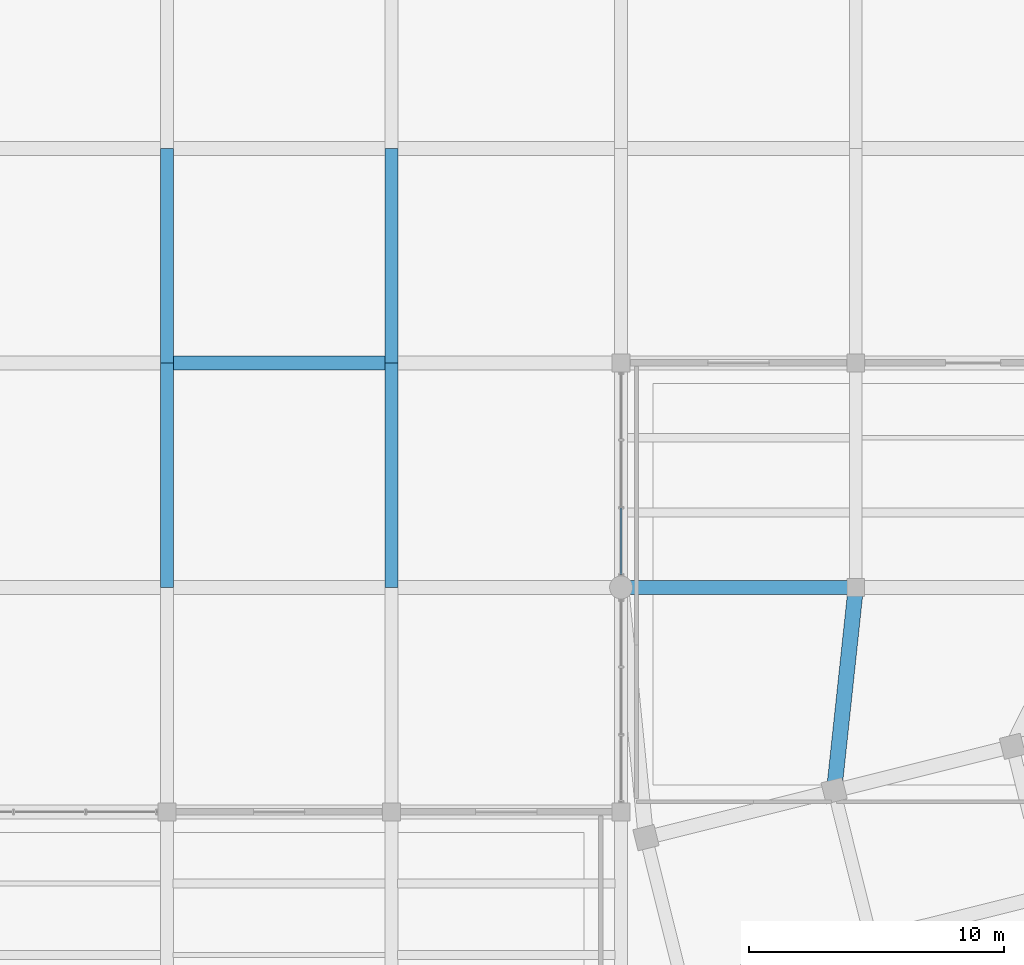
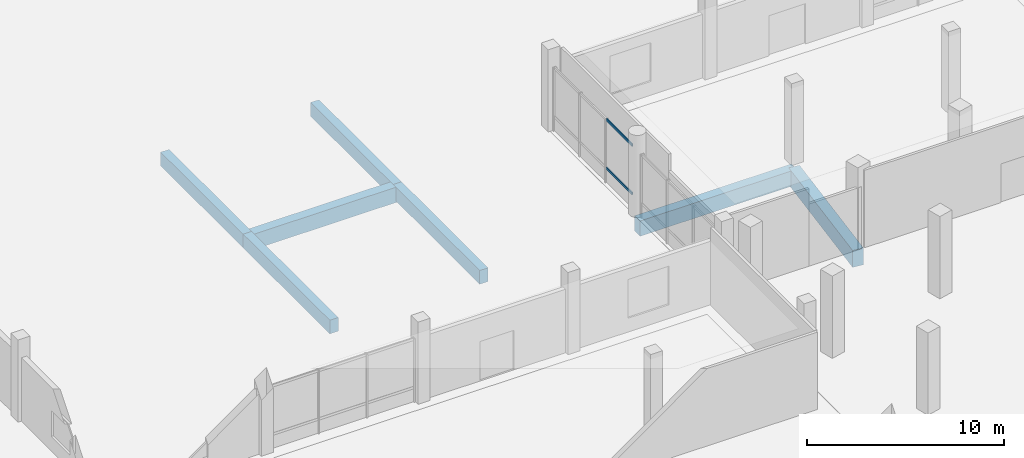
# One storey, part 29 of 73: 7 beams, 2 members, 1 element without a shape of its own.
"""IFC4 building model written with IfcOpenShell, lengths in metres."""

import ifcopenshell
import ifcopenshell.guid

model = None  # the IFC model being written
_history = None  # IfcOwnerHistory: only IFC2X3 demands one
_inside = {}  # id of a spatial element -> (the spatial element, [elements in it])
_under = {}  # id of a project, library or spatial element -> (it, [spatial elements below it])
_declared = {}  # id of a project -> (the project, [libraries it declares])
_typed = {}  # id of a type object -> (the type object, [elements of that type])
_made_of = {}  # id of a material, layer set ... -> (it, [elements and type objects made of it])


def new_model(schema):
    """Start an empty IFC model of exactly this schema.

    Asked for "IFC4X3", IfcOpenShell would pick the latest addendum, in which some entities
    have other attributes; the version numbers below select the first issue.
    IFC2X3 requires an IfcOwnerHistory on every rooted entity: one is made here for all.
    """
    global model, _history
    if schema == "IFC4X3":
        model = ifcopenshell.file(schema_version=(4, 3, 0, 0))
    else:
        model = ifcopenshell.file(schema=schema)
    _inside.clear()
    _under.clear()
    _declared.clear()
    _typed.clear()
    _made_of.clear()
    _history = None
    if model.schema == "IFC2X3":
        org = make("IfcOrganization", Name="unknown")
        user = make(
            "IfcPersonAndOrganization",
            ThePerson=make("IfcPerson", FamilyName="unknown"),
            TheOrganization=org,
        )
        app = make(
            "IfcApplication",
            ApplicationDeveloper=org,
            Version="unknown",
            ApplicationFullName="unknown",
            ApplicationIdentifier="unknown",
        )
        _history = make(
            "IfcOwnerHistory",
            OwningUser=user,
            OwningApplication=app,
            ChangeAction="ADDED",
            CreationDate=0,
        )
    return model


def make(cls, **values):
    """One entity of the class cls with the attributes given. An attribute that is None is left unset."""
    return model.create_entity(
        cls, **{name: value for name, value in values.items() if value is not None}
    )


def rooted(cls, **values):
    """An entity with a GlobalId (a new one), such as an element, a storey or a relation."""
    return make(cls, GlobalId=ifcopenshell.guid.new(), OwnerHistory=_history, **values)


def si_unit(unit_type, name, prefix=None):
    """IfcSIUnit, for example si_unit("LENGTHUNIT", "METRE", prefix="MILLI")."""
    return make("IfcSIUnit", UnitType=unit_type, Prefix=prefix, Name=name)


def assignment(units):
    """IfcUnitAssignment: the units of a project."""
    return None if units is None else make("IfcUnitAssignment", Units=units)


def point(xyz):
    """IfcCartesianPoint."""
    return None if xyz is None else make("IfcCartesianPoint", Coordinates=xyz)


def direction(xyz):
    """IfcDirection."""
    return None if xyz is None else make("IfcDirection", DirectionRatios=xyz)


def frame(location, z_axis=None, x_axis=None):
    """IfcAxis2Placement3D, a coordinate frame: its origin and axes. An axis left out is left unset."""
    return make(
        "IfcAxis2Placement3D",
        Location=point(location),
        Axis=direction(z_axis),
        RefDirection=direction(x_axis),
    )


def frame_2d(location, x_axis=None):
    """IfcAxis2Placement2D, a coordinate frame in the plane: its origin and x axis."""
    return make(
        "IfcAxis2Placement2D", Location=point(location), RefDirection=direction(x_axis)
    )


def origin():
    """The frame at (0, 0, 0) with its axes left unset."""
    return frame((0.0, 0.0, 0.0))


def origin_2d():
    """The frame at (0, 0) in the plane with its x axis left unset."""
    return frame_2d((0.0, 0.0))


def place(relative_to, where):
    """IfcLocalPlacement: puts the frame where relative to a parent placement (None: the world)."""
    return make(
        "IfcLocalPlacement", PlacementRelTo=relative_to, RelativePlacement=where
    )


def context(
    kind, dimensions, precision=None, world=None, true_north=None, identifier=None
):
    """IfcGeometricRepresentationContext, for example the 3D "Model" context."""
    return make(
        "IfcGeometricRepresentationContext",
        ContextIdentifier=identifier,
        ContextType=kind,
        CoordinateSpaceDimension=dimensions,
        Precision=precision,
        WorldCoordinateSystem=world,
        TrueNorth=true_north,
    )


def subcontext(parent, identifier, kind, view, scale=None):
    """IfcGeometricRepresentationSubContext, for example "Body" below "Model"."""
    return make(
        "IfcGeometricRepresentationSubContext",
        ContextIdentifier=identifier,
        ContextType=kind,
        ParentContext=parent,
        TargetScale=scale,
        TargetView=view,
    )


def project(units=None, contexts=None):
    """IfcProject with its units and contexts."""
    return rooted(
        "IfcProject",
        Name="project",
        RepresentationContexts=contexts,
        UnitsInContext=assignment(units),
    )


def spatial(cls, under=None, at=None, **own):
    """A site, building, storey or space (cls), placed at a placement, below another one or the project."""
    s = rooted(cls, ObjectPlacement=at, **own)
    if under is not None:
        _under.setdefault(under.id(), (under, []))[1].append(s)
    return s


def profile(cls, at=None, kind="AREA", **sizes):
    """A parametric profile (cls). Its sizes go by their IFC names, for example OverallWidth=200.0."""
    return make(cls, ProfileType=kind, Position=at, **sizes)


def rectangle(**sizes):
    """IfcRectangleProfileDef."""
    return profile("IfcRectangleProfileDef", **sizes)


def hollow_rectangle(**sizes):
    """IfcRectangleHollowProfileDef."""
    return profile("IfcRectangleHollowProfileDef", **sizes)


def extrude(swept, where, along, depth):
    """IfcExtrudedAreaSolid: the profile swept, set in the frame where, extruded along a direction by depth."""
    return make(
        "IfcExtrudedAreaSolid",
        SweptArea=swept,
        Position=where,
        ExtrudedDirection=direction(along),
        Depth=depth,
    )


def shape(context_of_items, identifier, shape_type, items):
    """IfcShapeRepresentation: the items that make up one representation, for example the "Body"."""
    return make(
        "IfcShapeRepresentation",
        ContextOfItems=context_of_items,
        RepresentationIdentifier=identifier,
        RepresentationType=shape_type,
        Items=items,
    )


def material(Name=None, Category=None):
    """IfcMaterial."""
    return make("IfcMaterial", Name=Name, Category=Category)


def layer(
    of_material, thickness, ventilated=None, Name=None, Category=None, Priority=None
):
    """IfcMaterialLayer: one layer of a wall or slab, of a material (None: an air gap)."""
    return make(
        "IfcMaterialLayer",
        Material=of_material,
        LayerThickness=thickness,
        IsVentilated=ventilated,
        Name=Name,
        Category=Category,
        Priority=Priority,
    )


def layer_set(layers, Name=None):
    """IfcMaterialLayerSet."""
    return make("IfcMaterialLayerSet", MaterialLayers=layers, LayerSetName=Name)


def material_profile(
    of_material, cross_section, Name=None, Category=None, Priority=None
):
    """IfcMaterialProfile: a cross section and its material."""
    return make(
        "IfcMaterialProfile",
        Name=Name,
        Material=of_material,
        Profile=cross_section,
        Priority=Priority,
        Category=Category,
    )


def profile_set(profiles, Name=None, composite=None):
    """IfcMaterialProfileSet."""
    return make(
        "IfcMaterialProfileSet",
        Name=Name,
        MaterialProfiles=profiles,
        CompositeProfile=composite,
    )


def made_of(thing, what):
    """Note that an element or type object is made of a material, layer set ...; save() writes the relation."""
    if what is not None:
        _made_of.setdefault(what.id(), (what, []))[1].append(thing)
    return thing


def type_object(cls, material=None, **own):
    """A type object (cls), such as IfcWallType, which elements share."""
    return made_of(rooted(cls, **own), material)


def element(
    cls,
    number,
    at=None,
    inside=None,
    cuts=None,
    type_object=None,
    material=None,
    context=None,
    identifier="Body",
    shape_type=None,
    held_by="IfcProductDefinitionShape",
    body=None,
    shapes=None,
    **own,
):
    """One element of the class cls, such as IfcWall. Its Tag is "e" and its number.

    at: its placement. inside: the storey or other place that contains it. cuts: it is an
    opening in that element (IfcRelVoidsElement). A single representation is given by context,
    identifier, shape_type and body (its items); several are given by shapes. held_by: the class
    of the entity that holds the representations. save() writes the other relations.
    """
    e = rooted(cls, Tag="e%d" % number, ObjectPlacement=at, **own)
    if body is not None:
        shapes = [shape(context, identifier, shape_type, body)]
    if shapes is not None:
        e.Representation = make(held_by, Representations=shapes)
    if inside is not None:
        _inside.setdefault(inside.id(), (inside, []))[1].append(e)
    if cuts is not None:
        rooted(
            "IfcRelVoidsElement", RelatingBuildingElement=cuts, RelatedOpeningElement=e
        )
    if type_object is not None:
        _typed.setdefault(type_object.id(), (type_object, []))[1].append(e)
    return made_of(e, material)


def aggregate(whole, parts):
    """IfcRelAggregates: a whole, such as a stair, and the parts it consists of."""
    return rooted("IfcRelAggregates", RelatingObject=whole, RelatedObjects=parts)


def save(model, path):
    """Write the relations noted so far, then the file.

    IfcRelAggregates (storeys below a building ...), IfcRelContainedInSpatialStructure (elements
    in a storey), IfcRelDefinesByType, IfcRelAssociatesMaterial and IfcRelDeclares: one each for
    every whole, place, type object, material and project.
    """
    for whole, parts in _under.values():
        aggregate(whole, parts)
    for where, things in _inside.values():
        rooted(
            "IfcRelContainedInSpatialStructure",
            RelatedElements=things,
            RelatingStructure=where,
        )
    for kind, things in _typed.values():
        rooted("IfcRelDefinesByType", RelatedObjects=things, RelatingType=kind)
    for what, things in _made_of.values():
        rooted("IfcRelAssociatesMaterial", RelatedObjects=things, RelatingMaterial=what)
    for by, libraries in _declared.values():
        rooted("IfcRelDeclares", RelatingContext=by, RelatedDefinitions=libraries)
    model.write(path)


model = new_model("IFC4")

# Units and contexts
model_context = context("Model", 3, precision=1e-05, world=origin(), true_north=direction((0.0, 1.0)))
body_context = subcontext(model_context, "Body", "Model", "MODEL_VIEW")
ifc_project = project(units=[si_unit("LENGTHUNIT", "METRE"), si_unit("AREAUNIT", "SQUARE_METRE"), si_unit("VOLUMEUNIT", "CUBIC_METRE"), si_unit("PLANEANGLEUNIT", "RADIAN"), si_unit("MASSUNIT", "GRAM", prefix="KILO")], contexts=[model_context])

# Site, building, storey
site_placement = place(None, origin())
site = spatial("IfcSite", under=ifc_project, at=site_placement, CompositionType="ELEMENT")
building_placement = place(site_placement, origin())
building = spatial("IfcBuilding", under=site, at=building_placement, Name="Meriwether Solvik Hall", CompositionType="ELEMENT")
storey_placement = place(building_placement, origin())
storey = spatial("IfcBuildingStorey", under=building, at=storey_placement, Name="L00", CompositionType="ELEMENT", Elevation=0.0)

# Beams
ifc_material_1 = material(Name="Concrete C40/50", Category="concrete")
ifc_material_profile_1 = material_profile(ifc_material_1, rectangle(XDim=0.5, YDim=0.85009765625, at=origin_2d()), Name="RCB-500X850")
ifc_profile_set_1 = profile_set([ifc_material_profile_1], Name="Concrete C40/50")
beam_type_1 = type_object("IfcBeamType", Name="BM-RC-500X850", PredefinedType="BEAM", material=ifc_profile_set_1)
beam_1_placement = place(storey_placement, frame((41.60009765625, 84.0, -0.784912109375), z_axis=(0.0, 1.0, 0.0), x_axis=(-1.0, 0.0, 0.0)))
element("IfcBeam", 1, at=beam_1_placement, inside=storey, type_object=beam_type_1, Name="Podium Girder 5:J-K (L00)", PredefinedType="BEAM", context=body_context, shape_type="SweptSolid", body=[
    extrude(rectangle(XDim=0.5, YDim=0.85009765625, at=origin_2d()), origin(), (0.0, 0.0, 1.0), 8.800048828125),
])
beam_2_placement = place(storey_placement, frame((41.60009765625, 92.800048828125, -0.784912109375), z_axis=(0.0, 1.0, 0.0), x_axis=(-1.0, 0.0, 0.0)))
element("IfcBeam", 2, at=beam_2_placement, inside=storey, type_object=beam_type_1, Name="Podium Girder 5:K-L (L00)", PredefinedType="BEAM", context=body_context, shape_type="SweptSolid", body=[
    extrude(rectangle(XDim=0.5, YDim=0.85009765625, at=origin_2d()), origin(), (0.0, 0.0, 1.0), 8.39990234375),
])
beam_3_placement = place(storey_placement, frame((50.39990234375, 84.0, -0.784912109375), z_axis=(0.0, 1.0, 0.0), x_axis=(-1.0, 0.0, 0.0)))
element("IfcBeam", 3, at=beam_3_placement, inside=storey, type_object=beam_type_1, Name="Podium Girder 6:J-K (L00)", PredefinedType="BEAM", context=body_context, shape_type="SweptSolid", body=[
    extrude(rectangle(XDim=0.5, YDim=0.85009765625, at=origin_2d()), origin(), (0.0, 0.0, 1.0), 8.800048828125),
])
beam_4_placement = place(storey_placement, frame((50.39990234375, 92.800048828125, -0.784912109375), z_axis=(0.0, 1.0, 0.0), x_axis=(-1.0, 0.0, 0.0)))
element("IfcBeam", 4, at=beam_4_placement, inside=storey, type_object=beam_type_1, Name="Podium Girder 6:K-L (L00)", PredefinedType="BEAM", context=body_context, shape_type="SweptSolid", body=[
    extrude(rectangle(XDim=0.5, YDim=0.85009765625, at=origin_2d()), origin(), (0.0, 0.0, 1.0), 8.39990234375),
])
ifc_material_2 = material(Name="Concrete C40/50", Category="concrete")
ifc_material_profile_2 = material_profile(ifc_material_2, rectangle(XDim=0.550048828125, YDim=0.949951171875, at=origin_2d()), Name="RCB-550X950")
ifc_profile_set_2 = profile_set([ifc_material_profile_2], Name="Concrete C40/50")
beam_type_2 = type_object("IfcBeamType", Name="BM-RC-550X950", PredefinedType="BEAM", material=ifc_profile_set_2)
beam_5_placement = place(storey_placement, frame((59.39990234375, 84.0, -0.8349609375), z_axis=(1.0, 0.0, 0.0), x_axis=(0.0, 1.0, 0.0)))
element("IfcBeam", 5, at=beam_5_placement, inside=storey, type_object=beam_type_2, Name="Podium Girder J:7-8 (L00)", PredefinedType="BEAM", context=body_context, shape_type="SweptSolid", body=[
    extrude(rectangle(XDim=0.550048828125, YDim=0.949951171875, at=origin_2d()), origin(), (0.0, 0.0, 1.0), 9.2001953125),
])
beam_6_placement = place(storey_placement, frame((41.60009765625, 92.800048828125, -0.8349609375), z_axis=(1.0, 0.0, 0.0), x_axis=(0.0, 1.0, 0.0)))
element("IfcBeam", 6, at=beam_6_placement, inside=storey, type_object=beam_type_2, Name="Podium Girder K:5-6 (L00)", PredefinedType="BEAM", context=body_context, shape_type="SweptSolid", body=[
    extrude(rectangle(XDim=0.550048828125, YDim=0.949951171875, at=origin_2d()), origin(), (0.0, 0.0, 1.0), 8.7998046875),
])
ifc_material_3 = material(Name="Concrete C40/50", Category="concrete")
ifc_material_profile_3 = material_profile(ifc_material_3, rectangle(XDim=0.60009765625, YDim=1.050048828125, at=origin_2d()), Name="RCB-600X1050")
ifc_profile_set_3 = profile_set([ifc_material_profile_3], Name="Concrete C40/50")
beam_type_3 = type_object("IfcBeamType", Name="BM-RC-600X1050", PredefinedType="BEAM", material=ifc_profile_set_3)
beam_7_placement = place(storey_placement, frame((67.7490234375, 76.028564453125, -0.885009765625), z_axis=(0.106162139873, 0.99434883218, 0.0), x_axis=(-0.99434883218, 0.106162139873, 0.0)))
element("IfcBeam", 7, at=beam_7_placement, inside=storey, type_object=beam_type_3, Name="Diaphragm Collector Girder T2/TF-8/J (L00)", PredefinedType="BEAM", context=body_context, shape_type="SweptSolid", body=[
    extrude(rectangle(XDim=0.60009765625, YDim=1.050048828125, at=origin_2d()), origin(), (0.0, 0.0, 1.0), 8.016845703125),
])

# Curtain wall, members
ifc_material_4 = material(Name="Thermally Broken Anodised Aluminium 6063-T6 and Low-E Glass", Category="aluminium")
ifc_layer = layer(ifc_material_4, 0.179931640625)
ifc_layer_set = layer_set([ifc_layer], Name="Thermally Broken Anodised Aluminium 6063-T6 and Low-E Glass")
curtain_wall_type = type_object("IfcCurtainWallType", Name="CW-SF-POD-A", PredefinedType="USERDEFINED", material=ifc_layer_set)
curtain_wall_placement = place(storey_placement, origin())
curtain_wall = element("IfcCurtainWall", 8, at=curtain_wall_placement, inside=storey, type_object=curtain_wall_type, Name="Curtain Wall wing_Y7_10_55 (L00)", ObjectType="STICK STOREFRONT GLAZING", PredefinedType="USERDEFINED")
ifc_material_5 = material(Name="Anodised Aluminium 6063-T6", Category="aluminium")
ifc_material_profile_4 = material_profile(ifc_material_5, hollow_rectangle(XDim=0.070068359375, YDim=0.14990234375, WallThickness=0.0048828125, at=origin_2d()), Name="CWT-70X150")
ifc_profile_set_4 = profile_set([ifc_material_profile_4], Name="Anodised Aluminium 6063-T6")
member_type = type_object("IfcMemberType", Name="CW-TRN-70X150", PredefinedType="USERDEFINED", material=ifc_profile_set_4)
member_1_placement = place(storey_placement, frame((59.39990234375, 84.5, 0.8798828125), z_axis=(0.0, 1.0, 0.0), x_axis=(-1.0, 0.0, 0.0)))
member_1 = element("IfcMember", 9, at=member_1_placement, type_object=member_type, Name="Curtain Wall Transom 1-sill", ObjectType="TRANSOM", PredefinedType="USERDEFINED", context=body_context, shape_type="SweptSolid", body=[
    extrude(hollow_rectangle(XDim=0.070068359375, YDim=0.14990234375, WallThickness=0.0048828125, at=origin_2d()), origin(), (0.0, 0.0, 1.0), 2.62060546875),
])
member_2_placement = place(storey_placement, frame((59.39990234375, 84.5, 3.8798828125), z_axis=(0.0, 1.0, 0.0), x_axis=(-1.0, 0.0, 0.0)))
member_2 = element("IfcMember", 10, at=member_2_placement, type_object=member_type, Name="Curtain Wall Transom 1-head", ObjectType="TRANSOM", PredefinedType="USERDEFINED", context=body_context, shape_type="SweptSolid", body=[
    extrude(hollow_rectangle(XDim=0.070068359375, YDim=0.14990234375, WallThickness=0.0048828125, at=origin_2d()), origin(), (0.0, 0.0, 1.0), 2.62060546875),
])
aggregate(curtain_wall, [member_1, member_2])

save(model, "model.ifc")
